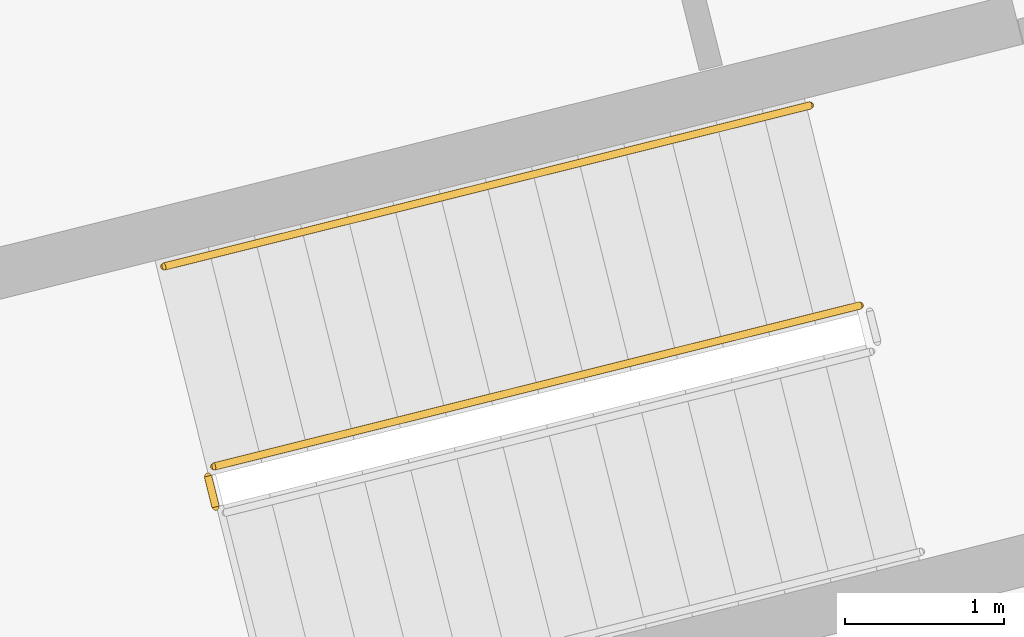
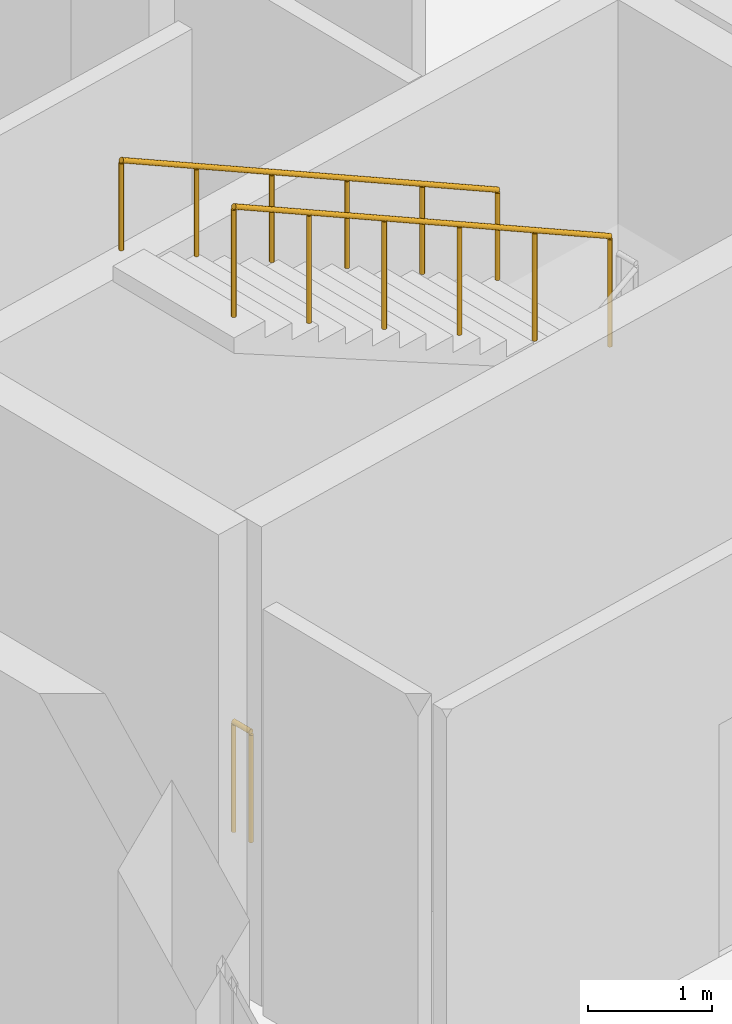
# One storey, part 166 of 173: 3 railings.
"""IFC4 building model written with IfcOpenShell, lengths in metres."""

from ifc_helpers import new_model, si_unit, direction, frame, origin, origin_2d, place, context, subcontext, project, spatial, circle, extrude, material, type_object, element, save


model = new_model("IFC4")

# Units and contexts
model_context = context("Model", 3, precision=1e-05, world=origin(), true_north=direction((0.0, 1.0)))
body_context = subcontext(model_context, "Body", "Model", "MODEL_VIEW")
ifc_project = project(units=[si_unit("LENGTHUNIT", "METRE"), si_unit("AREAUNIT", "SQUARE_METRE"), si_unit("VOLUMEUNIT", "CUBIC_METRE"), si_unit("PLANEANGLEUNIT", "RADIAN"), si_unit("MASSUNIT", "GRAM", prefix="KILO")], contexts=[model_context])

# Site, building, storey
site_placement = place(None, origin())
site = spatial("IfcSite", under=ifc_project, at=site_placement, CompositionType="ELEMENT")
building_placement = place(site_placement, origin())
building = spatial("IfcBuilding", under=site, at=building_placement, Name="Mawjan Specialist Oncology Clinic", CompositionType="ELEMENT")
storey_placement = place(building_placement, origin())
storey = spatial("IfcBuildingStorey", under=building, at=storey_placement, Name="L00", CompositionType="ELEMENT", Elevation=0.0)

# Railings
ifc_material_1 = material(Name="Powder-coated steel stair guard with vertical infill pickets", Category="steel")
railing_type_1 = type_object("IfcRailingType", Name="GR-110", PredefinedType="GUARDRAIL", material=ifc_material_1)
railing_1_placement = place(storey_placement, frame((128.935546875, 21.26806640625, 2.666748046875)))
element("IfcRailing", 1, at=railing_1_placement, inside=storey, type_object=railing_type_1, Name="L00 ST-05 stair guard 3", PredefinedType="GUARDRAIL", context=body_context, shape_type="SweptSolid", body=[
    extrude(circle(Radius=0.02392578125, at=origin_2d()), frame((0.0, 0.0, 1.076171875), z_axis=(-0.84820288849, -0.211440942907, 0.485638330056), x_axis=(0.241879042136, -0.970306409839, 0.0)), (0.0, 0.0, 1.0), 4.804443359375),
    extrude(circle(Radius=0.02099609375, at=origin_2d()), origin(), (0.0, 0.0, 1.0), 1.052001953125),
    extrude(circle(Radius=0.02099609375, at=origin_2d()), frame((-0.81494140625, -0.203125, 0.466552734375)), (0.0, 0.0, 1.0), 1.052001953125),
    extrude(circle(Radius=0.02099609375, at=origin_2d()), frame((-1.630126953125, -0.40625, 0.933349609375)), (0.0, 0.0, 1.0), 1.052001953125),
    extrude(circle(Radius=0.02099609375, at=origin_2d()), frame((-2.445068359375, -0.609619140625, 1.39990234375)), (0.0, 0.0, 1.0), 1.052001953125),
    extrude(circle(Radius=0.02099609375, at=origin_2d()), frame((-3.26025390625, -0.812744140625, 1.86669921875)), (0.0, 0.0, 1.0), 1.052001953125),
    extrude(circle(Radius=0.02099609375, at=origin_2d()), frame((-4.0751953125, -1.015869140625, 2.333251953125)), (0.0, 0.0, 1.0), 1.052001953125),
])
railing_2_placement = place(storey_placement, frame((124.872314453125, 19.997314453125, 0.0)))
element("IfcRailing", 2, at=railing_2_placement, inside=storey, type_object=railing_type_1, Name="L00 ST-05 stair guard 4", PredefinedType="GUARDRAIL", context=body_context, shape_type="SweptSolid", body=[
    extrude(circle(Radius=0.02392578125, at=origin_2d()), frame((0.0, 0.0, 1.076171875), z_axis=(-0.242822723755, 0.970070680326, 0.0), x_axis=(-0.970070680326, -0.242822723755, 0.0)), (0.0, 0.0, 1.0), 0.2001953125),
    extrude(circle(Radius=0.02099609375, at=origin_2d()), origin(), (0.0, 0.0, 1.0), 1.052001953125),
    extrude(circle(Radius=0.02099609375, at=origin_2d()), frame((-0.048583984375, 0.194091796875, 0.0)), (0.0, 0.0, 1.0), 1.052001953125),
])
ifc_material_2 = material(Name="Brushed stainless-steel tubular handrail", Category="steel")
railing_type_2 = type_object("IfcRailingType", Name="HR-090", PredefinedType="HANDRAIL", material=ifc_material_2)
railing_3_placement = place(storey_placement, frame((128.62109375, 22.529541015625, 2.666748046875)))
element("IfcRailing", 3, at=railing_3_placement, inside=storey, type_object=railing_type_2, Name="L00 ST-05 stair handrail 2", PredefinedType="HANDRAIL", context=body_context, shape_type="SweptSolid", body=[
    extrude(circle(Radius=0.02392578125, at=origin_2d()), frame((0.0, 0.0, 0.8759765625), z_axis=(-0.848208030082, -0.211480370287, 0.485612181363), x_axis=(0.241920125197, -0.970296167685, 0.0)), (0.0, 0.0, 1.0), 4.8046875),
    extrude(circle(Radius=0.02099609375, at=origin_2d()), origin(), (0.0, 0.0, 1.0), 0.851806640625),
    extrude(circle(Radius=0.02099609375, at=origin_2d()), frame((-0.815185546875, -0.203125, 0.466552734375)), (0.0, 0.0, 1.0), 0.851806640625),
    extrude(circle(Radius=0.02099609375, at=origin_2d()), frame((-1.630126953125, -0.406494140625, 0.933349609375)), (0.0, 0.0, 1.0), 0.851806640625),
    extrude(circle(Radius=0.02099609375, at=origin_2d()), frame((-2.4453125, -0.609619140625, 1.39990234375)), (0.0, 0.0, 1.0), 0.851806640625),
    extrude(circle(Radius=0.02099609375, at=origin_2d()), frame((-3.26025390625, -0.81298828125, 1.86669921875)), (0.0, 0.0, 1.0), 0.851806640625),
    extrude(circle(Radius=0.02099609375, at=origin_2d()), frame((-4.075439453125, -1.01611328125, 2.333251953125)), (0.0, 0.0, 1.0), 0.851806640625),
])

save(model, "model.ifc")
